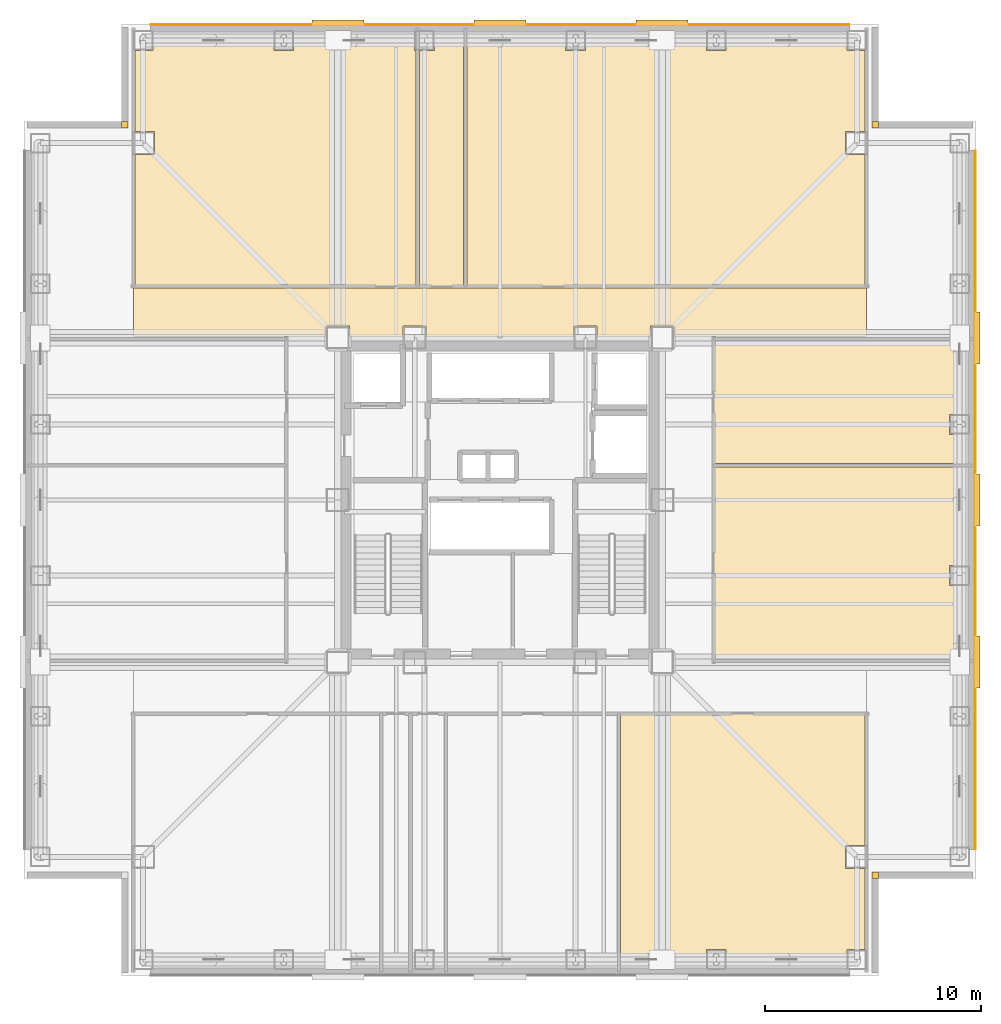
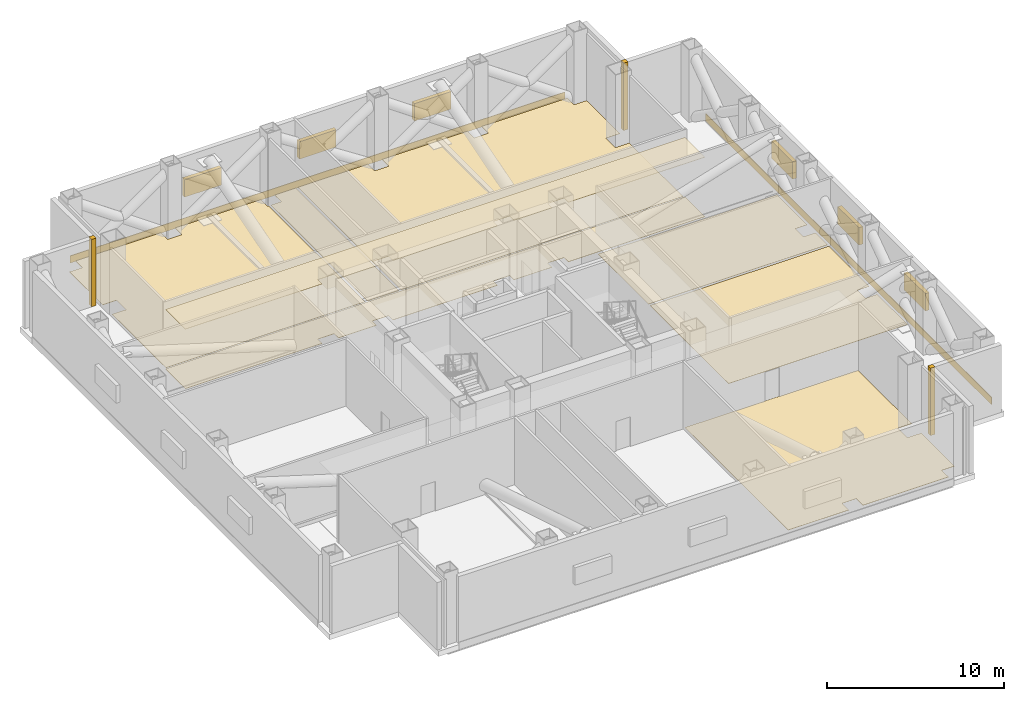
# One storey, part 8 of 8: 13 coverings, 6 shading devices.
"""IFC4 building model written with IfcOpenShell, lengths in metres."""

from ifc_helpers import new_model, si_unit, direction, frame, frame_2d, origin, origin_2d, place, context, subcontext, project, spatial, polyline, rectangle, outline, extrude, material, layer, layer_set, type_object, element, save


model = new_model("IFC4")

# Units and contexts
model_context = context("Model", 3, precision=1e-05, world=origin(), true_north=direction((0.0, 1.0)))
body_context = subcontext(model_context, "Body", "Model", "MODEL_VIEW")
ifc_project = project(units=[si_unit("LENGTHUNIT", "METRE"), si_unit("AREAUNIT", "SQUARE_METRE"), si_unit("VOLUMEUNIT", "CUBIC_METRE"), si_unit("PLANEANGLEUNIT", "RADIAN"), si_unit("MASSUNIT", "GRAM", prefix="KILO")], contexts=[model_context])

# Site, building, storey
site_placement = place(None, origin())
site = spatial("IfcSite", under=ifc_project, at=site_placement, CompositionType="ELEMENT")
building_placement = place(site_placement, origin())
building = spatial("IfcBuilding", under=site, at=building_placement, Name="Trevonay Congress Spire", CompositionType="ELEMENT")
storey_placement = place(building_placement, frame((0.0, 0.0, 155.199951171875)))
storey = spatial("IfcBuildingStorey", under=building, at=storey_placement, Name="L40", CompositionType="ELEMENT", Elevation=155.199951171875)

# Coverings
ifc_material_1 = material(Name="Acoustic Mineral Fibre Board", Category="gypsum")
ifc_layer_1 = layer(ifc_material_1, 0.02490234375, Name="Acoustic Mineral Fibre Board")
ifc_layer_set_1 = layer_set([ifc_layer_1], Name="Acoustic Mineral Fibre Board")
covering_type_1 = type_object("IfcCoveringType", Name="COV-CEIL-ACOUSTIC", PredefinedType="CEILING", material=ifc_layer_set_1)
covering_1_placement = place(storey_placement, frame((0.0, 0.0, 4.10009765625)))
element("IfcCovering", 1, at=covering_1_placement, inside=storey, type_object=covering_type_1, Name="L40 Plant and Refuge Corridor North acoustic suspended ceiling", PredefinedType="CEILING", context=body_context, shape_type="SweptSolid", body=[
    extrude(outline(polyline([(-16.949951171875, 7.550048828125), (-16.949951171875, 9.800048828125), (16.949951171875, 9.800048828125), (16.949951171875, 7.550048828125), (8.034912109375, 7.550048828125), (8.034912109375, 8.034912109375), (6.965087890625, 8.034912109375), (6.965087890625, 7.550048828125), (4.485107421875, 7.550048828125), (4.485107421875, 8.034912109375), (3.4150390625, 8.034912109375), (3.4150390625, 7.550048828125), (-3.4150390625, 7.550048828125), (-3.4150390625, 8.034912109375), (-4.485107421875, 8.034912109375), (-4.485107421875, 7.550048828125), (-6.965087890625, 7.550048828125), (-6.965087890625, 8.034912109375), (-8.034912109375, 8.034912109375), (-8.034912109375, 7.550048828125), (-16.949951171875, 7.550048828125)])), origin(), (0.0, 0.0, 1.0), 0.02490234375),
])
ifc_material_2 = material(Name="Polished Granite Floor Tile", Category="masonry")
ifc_layer_2 = layer(ifc_material_2, 0.02001953125, Name="Polished Granite Floor Tile")
ifc_layer_set_2 = layer_set([ifc_layer_2], Name="Polished Granite Floor Tile")
covering_type_2 = type_object("IfcCoveringType", Name="COV-FLOOR-STONE", PredefinedType="FLOORING", material=ifc_layer_set_2)
covering_2_placement = place(storey_placement, origin())
element("IfcCovering", 2, at=covering_2_placement, inside=storey, type_object=covering_type_2, Name="L40 Plant and Refuge Corridor North floor finish", PredefinedType="FLOORING", context=body_context, shape_type="SweptSolid", body=[
    extrude(outline(polyline([(-16.949951171875, 7.550048828125), (-16.949951171875, 9.800048828125), (16.949951171875, 9.800048828125), (16.949951171875, 7.550048828125), (8.034912109375, 7.550048828125), (8.034912109375, 8.034912109375), (6.965087890625, 8.034912109375), (6.965087890625, 7.550048828125), (4.485107421875, 7.550048828125), (4.485107421875, 8.034912109375), (3.4150390625, 8.034912109375), (3.4150390625, 7.550048828125), (-3.4150390625, 7.550048828125), (-3.4150390625, 8.034912109375), (-4.485107421875, 8.034912109375), (-4.485107421875, 7.550048828125), (-6.965087890625, 7.550048828125), (-6.965087890625, 8.034912109375), (-8.034912109375, 8.034912109375), (-8.034912109375, 7.550048828125), (-16.949951171875, 7.550048828125)])), origin(), (0.0, 0.0, 1.0), 0.02001953125),
])
covering_3_placement = place(storey_placement, origin())
element("IfcCovering", 3, at=covering_3_placement, inside=storey, type_object=covering_type_2, Name="L40 Heat-Recovery Exhaust Plant floor finish", PredefinedType="FLOORING", context=body_context, shape_type="SweptSolid", body=[
    extrude(outline(polyline([(5.580078125, -21.550048828125), (5.580078125, -9.8798828125), (16.8701171875, -9.8798828125), (16.8701171875, -15.965087890625), (15.965087890625, -15.965087890625), (15.965087890625, -17.034912109375), (16.8701171875, -17.034912109375), (16.8701171875, -20.7900390625), (16.0400390625, -20.7900390625), (16.0400390625, -21.550048828125), (10.4599609375, -21.550048828125), (10.4599609375, -20.7900390625), (9.5400390625, -20.7900390625), (9.5400390625, -21.550048828125), (5.580078125, -21.550048828125)])), origin(), (0.0, 0.0, 1.0), 0.02001953125),
])
covering_4_placement = place(storey_placement, origin())
element("IfcCovering", 4, at=covering_4_placement, inside=storey, type_object=covering_type_2, Name="L40 Electrical HV Transformer Room floor finish", PredefinedType="FLOORING", context=body_context, shape_type="SweptSolid", body=[
    extrude(outline(polyline([(-3.8798828125, 9.8798828125), (-16.8701171875, 9.8798828125), (-16.8701171875, 15.965087890625), (-15.965087890625, 15.965087890625), (-15.965087890625, 17.034912109375), (-16.8701171875, 17.034912109375), (-16.8701171875, 20.7900390625), (-16.0400390625, 20.7900390625), (-16.0400390625, 21.550048828125), (-10.4599609375, 21.550048828125), (-10.4599609375, 20.7900390625), (-9.5400390625, 20.7900390625), (-9.5400390625, 21.550048828125), (-3.9599609375, 21.550048828125), (-3.9599609375, 20.7900390625), (-3.8798828125, 20.7900390625), (-3.8798828125, 9.8798828125)])), origin(), (0.0, 0.0, 1.0), 0.02001953125),
])
covering_5_placement = place(storey_placement, origin())
element("IfcCovering", 5, at=covering_5_placement, inside=storey, type_object=covering_type_2, Name="L40 Sprinkler Break-Tank and Pump Room floor finish", PredefinedType="FLOORING", context=body_context, shape_type="SweptSolid", body=[
    extrude(outline(polyline([(-1.679931640625, 21.550048828125), (-1.679931640625, 9.8798828125), (-3.719970703125, 9.8798828125), (-3.719970703125, 20.7900390625), (-3.0400390625, 20.7900390625), (-3.0400390625, 21.550048828125), (-1.679931640625, 21.550048828125)])), origin(), (0.0, 0.0, 1.0), 0.02001953125),
])
covering_6_placement = place(storey_placement, origin())
element("IfcCovering", 6, at=covering_6_placement, inside=storey, type_object=covering_type_2, Name="L40 Smoke Extract Plenum Room floor finish", PredefinedType="FLOORING", context=body_context, shape_type="SweptSolid", body=[
    extrude(outline(polyline([(16.8701171875, 9.8798828125), (-1.52001953125, 9.8798828125), (-1.52001953125, 21.550048828125), (3.0400390625, 21.550048828125), (3.0400390625, 20.7900390625), (3.9599609375, 20.7900390625), (3.9599609375, 21.550048828125), (9.5400390625, 21.550048828125), (9.5400390625, 20.7900390625), (10.4599609375, 20.7900390625), (10.4599609375, 21.550048828125), (16.0400390625, 21.550048828125), (16.0400390625, 20.7900390625), (16.8701171875, 20.7900390625), (16.8701171875, 17.034912109375), (15.965087890625, 17.034912109375), (15.965087890625, 15.965087890625), (16.8701171875, 15.965087890625), (16.8701171875, 9.8798828125)])), origin(), (0.0, 0.0, 1.0), 0.02001953125),
])
covering_7_placement = place(storey_placement, origin())
element("IfcCovering", 7, at=covering_7_placement, inside=storey, type_object=covering_type_2, Name="L40 Refuge Area East floor finish", PredefinedType="FLOORING", context=body_context, shape_type="SweptSolid", body=[
    extrude(outline(polyline([(21.550048828125, -7.3701171875), (9.8798828125, -7.3701171875), (9.8798828125, 1.52001953125), (21.550048828125, 1.52001953125), (21.550048828125, -3.0400390625), (20.7900390625, -3.0400390625), (20.7900390625, -3.9599609375), (21.550048828125, -3.9599609375), (21.550048828125, -7.3701171875)])), origin(), (0.0, 0.0, 1.0), 0.02001953125),
])
covering_8_placement = place(storey_placement, origin())
element("IfcCovering", 8, at=covering_8_placement, inside=storey, type_object=covering_type_2, Name="L40 Domestic Water Booster Room floor finish", PredefinedType="FLOORING", context=body_context, shape_type="SweptSolid", body=[
    extrude(outline(polyline([(21.550048828125, 1.679931640625), (9.8798828125, 1.679931640625), (9.8798828125, 7.3701171875), (21.550048828125, 7.3701171875), (21.550048828125, 3.9599609375), (20.7900390625, 3.9599609375), (20.7900390625, 3.0400390625), (21.550048828125, 3.0400390625), (21.550048828125, 1.679931640625)])), origin(), (0.0, 0.0, 1.0), 0.02001953125),
])
ifc_material_3 = material(Name="Pale Anodised Aluminium EN AW-6063-T6", Category="aluminium")
ifc_layer_3 = layer(ifc_material_3, 0.0400390625, Name="Pale Anodised Aluminium EN AW-6063-T6")
ifc_layer_set_3 = layer_set([ifc_layer_3], Name="Pale Anodised Aluminium EN AW-6063-T6")
covering_type_3 = type_object("IfcCoveringType", Name="COV-SPANDREL-PALE-METAL", PredefinedType="CLADDING", material=ifc_layer_set_3)
for number, where, z_axis, x_axis, name in (
    (9, (-16.14990234375, 21.97998046875, -0.349853515625), (0.0, 0.0, 1.0), (1.0, 0.0, 0.0), "L40 N pale-metal belt-truss spandrel cladding"),
    (10, (21.97998046875, -16.14990234375, -0.349853515625), (0.0, 0.0, 1.0), (0.0, 1.0, 0.0), "L40 E pale-metal belt-truss spandrel cladding"),
):
    element("IfcCovering", number, at=place(storey_placement, frame(where, z_axis=z_axis, x_axis=x_axis)), inside=storey, type_object=covering_type_3, Name=name, PredefinedType="CLADDING", context=body_context, shape_type="SweptSolid", body=[
        extrude(rectangle(XDim=32.2998046875, YDim=0.0400390625, at=frame_2d((16.14990234375, 0.0))), origin(), (0.0, 0.0, 1.0), 0.5),
    ])
covering_9_placement = place(storey_placement, origin())
element("IfcCovering", 11, at=covering_9_placement, inside=storey, type_object=covering_type_3, Name="L40 SE re-entrant notch corner closure trim", PredefinedType="CLADDING", context=body_context, shape_type="SweptSolid", body=[
    extrude(outline(polyline([(17.199951171875, -17.5), (17.5, -17.5), (17.5, -17.199951171875), (17.199951171875, -17.199951171875), (17.199951171875, -17.5)])), origin(), (0.0, 0.0, 1.0), 4.650146484375),
])
covering_10_placement = place(storey_placement, origin())
element("IfcCovering", 12, at=covering_10_placement, inside=storey, type_object=covering_type_3, Name="L40 NE re-entrant notch corner closure trim", PredefinedType="CLADDING", context=body_context, shape_type="SweptSolid", body=[
    extrude(outline(polyline([(17.199951171875, 17.199951171875), (17.5, 17.199951171875), (17.5, 17.5), (17.199951171875, 17.5), (17.199951171875, 17.199951171875)])), origin(), (0.0, 0.0, 1.0), 4.650146484375),
])
covering_11_placement = place(storey_placement, origin())
element("IfcCovering", 13, at=covering_11_placement, inside=storey, type_object=covering_type_3, Name="L40 NW re-entrant notch corner closure trim", PredefinedType="CLADDING", context=body_context, shape_type="SweptSolid", body=[
    extrude(outline(polyline([(-17.5, 17.199951171875), (-17.199951171875, 17.199951171875), (-17.199951171875, 17.5), (-17.5, 17.5), (-17.5, 17.199951171875)])), origin(), (0.0, 0.0, 1.0), 4.650146484375),
])

# Shading devices
shading_device_type = type_object("IfcShadingDeviceType", Name="SHD-LOUVRE-PLANT-ALUM", PredefinedType="USERDEFINED", material=ifc_material_3)
for number, where, z_axis, x_axis, name in (
    (14, (-7.5, 22.070068359375, 1.60009765625), (0.0, 0.0, 1.0), (1.0, 0.0, 0.0), "L40 N acoustic plant intake louvre 1"),
    (15, (0.0, 22.070068359375, 1.60009765625), (0.0, 0.0, 1.0), (1.0, 0.0, 0.0), "L40 N acoustic plant intake louvre 2"),
    (16, (7.5, 22.070068359375, 1.60009765625), (0.0, 0.0, 1.0), (1.0, 0.0, 0.0), "L40 N acoustic plant intake louvre 3"),
    (17, (22.070068359375, -7.5, 1.60009765625), (0.0, 0.0, 1.0), (0.0, 1.0, 0.0), "L40 E acoustic plant intake louvre 1"),
    (18, (22.070068359375, 0.0, 1.60009765625), (0.0, 0.0, 1.0), (0.0, 1.0, 0.0), "L40 E acoustic plant intake louvre 2"),
    (19, (22.070068359375, 7.5, 1.60009765625), (0.0, 0.0, 1.0), (0.0, 1.0, 0.0), "L40 E acoustic plant intake louvre 3"),
):
    element("IfcShadingDevice", number, at=place(storey_placement, frame(where, z_axis=z_axis, x_axis=x_axis)), inside=storey, type_object=shading_device_type, Name=name, ObjectType="LOUVRE", PredefinedType="USERDEFINED", context=body_context, shape_type="SweptSolid", body=[
        extrude(rectangle(XDim=2.39990234375, YDim=0.25, at=origin_2d()), origin(), (0.0, 0.0, 1.0), 1.199951171875),
    ])

save(model, "model.ifc")
